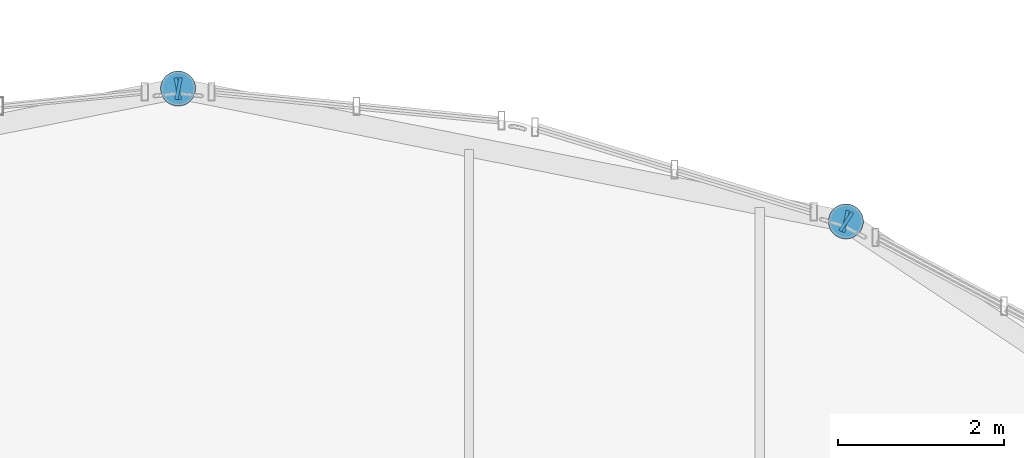
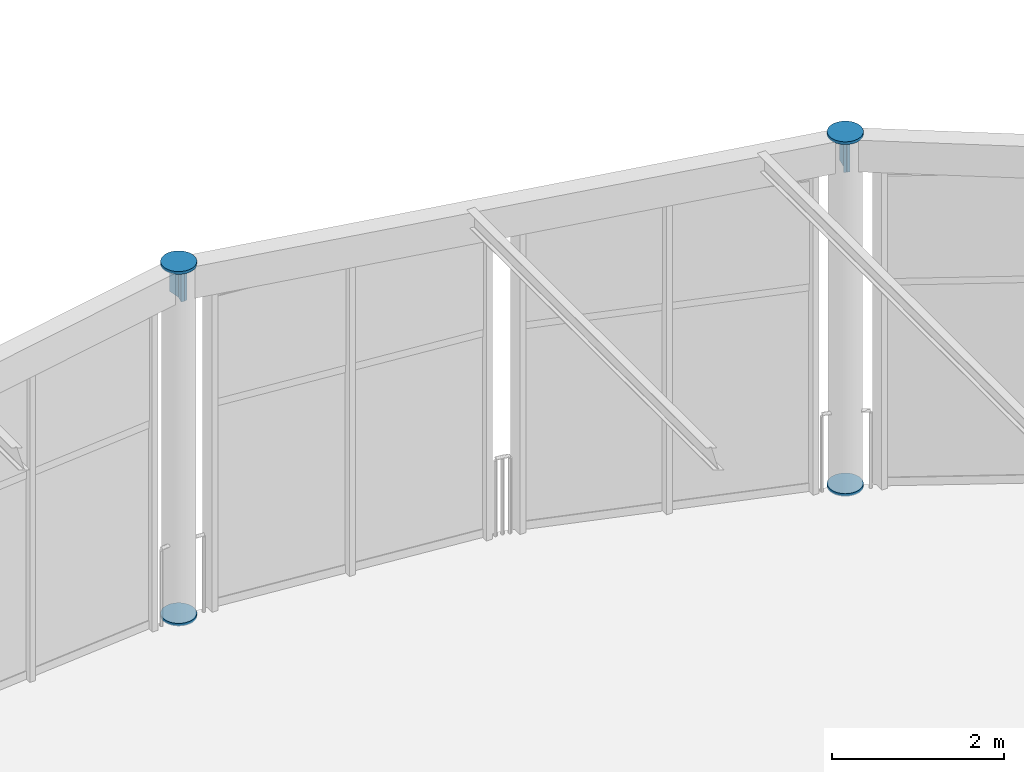
# One storey, part 169 of 195: 8 discrete accessories.
"""IFC4 building model written with IfcOpenShell, lengths in metres."""

from ifc_helpers import new_model, si_unit, direction, frame, origin, origin_2d, place, context, subcontext, project, spatial, rectangle, circle, extrude, material, element, save


model = new_model("IFC4")

# Units and contexts
model_context = context("Model", 3, precision=1e-05, world=origin(), true_north=direction((0.0, 1.0)))
body_context = subcontext(model_context, "Body", "Model", "MODEL_VIEW")
ifc_project = project(units=[si_unit("LENGTHUNIT", "METRE"), si_unit("AREAUNIT", "SQUARE_METRE"), si_unit("VOLUMEUNIT", "CUBIC_METRE"), si_unit("PLANEANGLEUNIT", "RADIAN"), si_unit("MASSUNIT", "GRAM", prefix="KILO")], contexts=[model_context])

# Site, building, storey
site_placement = place(None, origin())
site = spatial("IfcSite", under=ifc_project, at=site_placement, CompositionType="ELEMENT")
building_placement = place(site_placement, origin())
building = spatial("IfcBuilding", under=site, at=building_placement, Name="Marlcrest Central Station", CompositionType="ELEMENT")
storey_placement = place(building_placement, frame((0.0, 0.0, 9.800048828125)))
storey = spatial("IfcBuildingStorey", under=building, at=storey_placement, Name="L02", CompositionType="ELEMENT", Elevation=9.800048828125)

# Discrete accessories
ifc_material = material(Name="Steel S355", Category="steel")
for number, where, z_axis, x_axis, name in (
    (1, (108.0, 131.5, -0.014892578125), (0.0, 0.0, 1.0), (1.0, 0.0, 0.0), "endcap-col-SC-10-L02-0857-s"),
    (2, (108.0, 131.5, 4.985107421875), (0.0, 0.0, 1.0), (1.0, 0.0, 0.0), "endcap-col-SC-10-L02-0857-e"),
    (3, (116.035888671875, 129.90087890625, -0.014892578125), (0.0, 0.0, 1.0), (1.0, 0.0, 0.0), "endcap-col-SC-10-L02-0861-s"),
    (4, (116.035888671875, 129.90087890625, 4.985107421875), (0.0, 0.0, 1.0), (1.0, 0.0, 0.0), "endcap-col-SC-10-L02-0861-e"),
):
    element("IfcDiscreteAccessory", number, at=place(storey_placement, frame(where, z_axis=z_axis, x_axis=x_axis)), inside=storey, material=ifc_material, Name=name, ObjectType="END_CAP_PLATE", PredefinedType="BRACKET", context=body_context, shape_type="SweptSolid", body=[
        extrude(circle(Radius=0.211181640625, at=origin_2d()), origin(), (0.0, 0.0, 1.0), 0.0400390625),
    ])
for number, where, z_axis, x_axis, name in (
    (5, (107.9755859375, 131.4951171875, 4.77001953125), (0.980769316421, 0.19517056122, 0.0), (-0.19517056122, 0.980769316421, 0.0), "endcap-bm-SP-02-L02-01480-e"),
    (6, (107.9853515625, 131.5029296875, 4.77001953125), (0.980769316421, -0.19517056122, 0.0), (0.19517056122, 0.980769316421, 0.0), "endcap-bm-SP-02-L02-01481-s"),
    (7, (116.011474609375, 129.90576171875, 4.77001953125), (0.980769316421, -0.19517056122, 0.0), (0.19517056122, 0.980769316421, 0.0), "endcap-bm-SP-02-L02-01481-e"),
    (8, (116.0234375, 129.9091796875, 4.77001953125), (0.831508991937, -0.55551129271, 0.0), (0.55551129271, 0.831508991937, 0.0), "endcap-bm-SP-02-L02-01482-s"),
):
    element("IfcDiscreteAccessory", number, at=place(storey_placement, frame(where, z_axis=z_axis, x_axis=x_axis)), inside=storey, material=ifc_material, Name=name, ObjectType="END_CAP_PLATE", PredefinedType="BRACKET", context=body_context, shape_type="SweptSolid", body=[
        extrude(rectangle(XDim=0.26611328125, YDim=0.466064453125, at=origin_2d()), origin(), (0.0, 0.0, 1.0), 0.0400390625),
    ])

save(model, "model.ifc")
